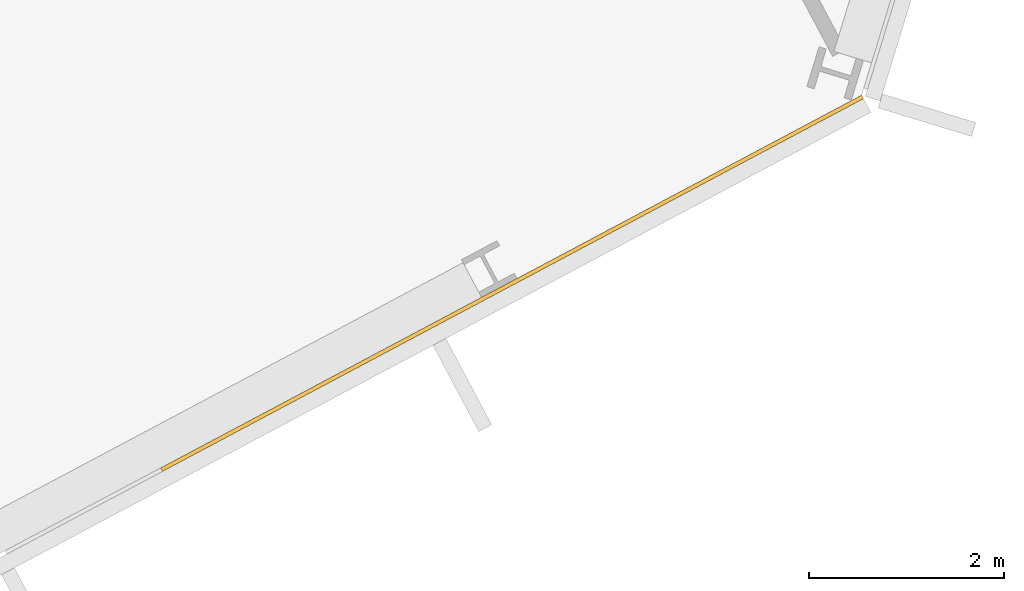
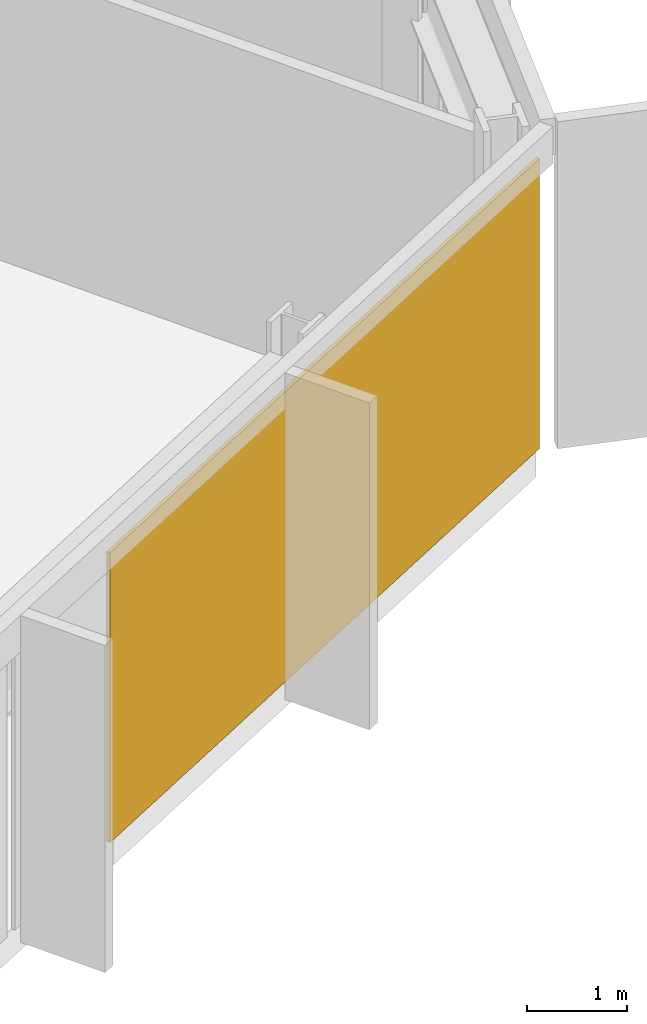
# One storey, part 26 of 28: 1 covering, 1 element without a shape of its own.
"""IFC4 building model written with IfcOpenShell, lengths in metres."""

from ifc_helpers import new_model, si_unit, direction, frame, origin, origin_2d, place, context, subcontext, project, spatial, rectangle, extrude, material, layer, layer_set, type_object, element, aggregate, save


model = new_model("IFC4")

# Units and contexts
model_context = context("Model", 3, precision=1e-05, world=origin(), true_north=direction((0.0, 1.0)))
body_context = subcontext(model_context, "Body", "Model", "MODEL_VIEW")
ifc_project = project(units=[si_unit("LENGTHUNIT", "METRE"), si_unit("AREAUNIT", "SQUARE_METRE"), si_unit("VOLUMEUNIT", "CUBIC_METRE"), si_unit("PLANEANGLEUNIT", "RADIAN"), si_unit("MASSUNIT", "GRAM", prefix="KILO")], contexts=[model_context])

# Site, building, storey
site_placement = place(None, origin())
site = spatial("IfcSite", under=ifc_project, at=site_placement, CompositionType="ELEMENT")
building_placement = place(site_placement, origin())
building = spatial("IfcBuilding", under=site, at=building_placement, Name="Cormorant Relay Tower", CompositionType="ELEMENT")
storey_placement = place(building_placement, frame((0.0, 0.0, 134.199951171875)))
storey = spatial("IfcBuildingStorey", under=building, at=storey_placement, Name="L27", CompositionType="ELEMENT", Elevation=134.199951171875)

# Curtain wall, covering
ifc_material_1 = material(Name="Aluminium 6063-T6 anodised bronze", Category="aluminium")
ifc_layer_1 = layer(ifc_material_1, 0.199951171875)
ifc_layer_set_1 = layer_set([ifc_layer_1], Name="CW1 unitised bronze curtain wall with vertical fins")
curtain_wall_type = type_object("IfcCurtainWallType", Name="CW1 unitised bronze curtain wall with vertical fins", PredefinedType="NOTDEFINED", material=ifc_layer_set_1)
curtain_wall_placement = place(storey_placement, origin())
curtain_wall = element("IfcCurtainWall", 1, at=curtain_wall_placement, inside=storey, type_object=curtain_wall_type, Name="CW1 curtain wall 4", PredefinedType="NOTDEFINED")
ifc_material_2 = material(Name="Pale bronze anodised aluminium insulated panel", Category="aluminium")
ifc_layer_2 = layer(ifc_material_2, 0.0400390625)
ifc_layer_set_2 = layer_set([ifc_layer_2], Name="CW1 pale bronze insulated panel 40")
covering_type = type_object("IfcCoveringType", Name="CW1 pale bronze insulated panel 40", PredefinedType="CLADDING", material=ifc_layer_set_2)
covering_placement = place(storey_placement, frame((52.138671875, 6.18115234375, 0.0), z_axis=(0.0, 0.0, 1.0), x_axis=(0.882947592859, 0.469471562786, 0.0)))
covering = element("IfcCovering", 2, at=covering_placement, type_object=covering_type, Name="CW1 panel S04", PredefinedType="CLADDING", context=body_context, shape_type="SweptSolid", body=[
    extrude(rectangle(XDim=8.125, YDim=0.0400390625, at=origin_2d()), origin(), (0.0, 0.0, 1.0), 3.550048828125),
])
aggregate(curtain_wall, [covering])

save(model, "model.ifc")
